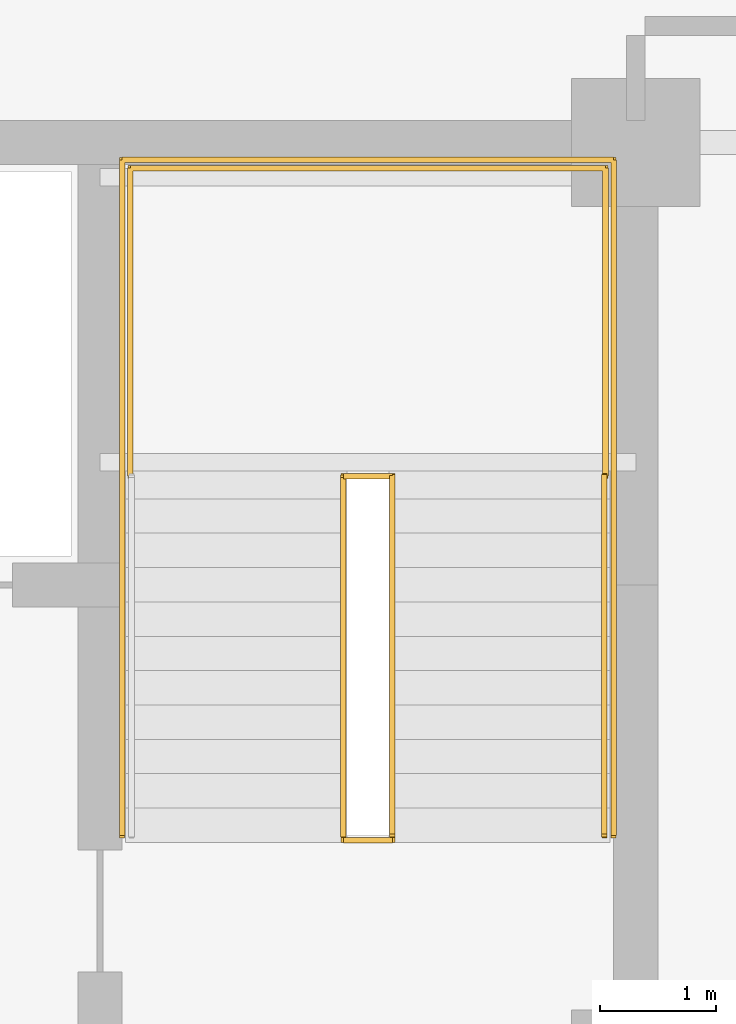
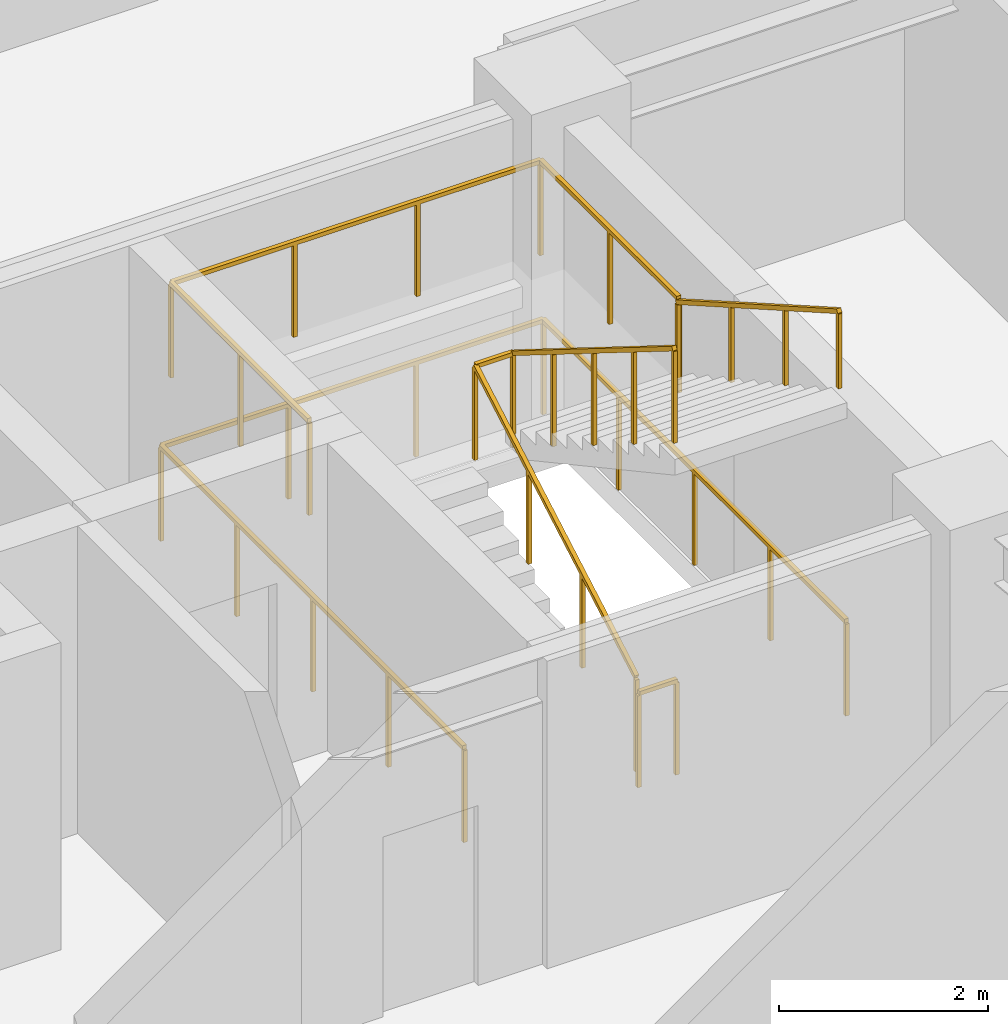
# One storey, part 26 of 26: 5 railings.
"""IFC4 building model written with IfcOpenShell, lengths in metres."""

from ifc_helpers import new_model, si_unit, direction, frame, origin, origin_2d, place, context, subcontext, project, spatial, rectangle, extrude, material, layer, layer_set, type_object, element, save


model = new_model("IFC4")

# Units and contexts
model_context = context("Model", 3, precision=1e-05, world=origin(), true_north=direction((0.0, 1.0)))
body_context = subcontext(model_context, "Body", "Model", "MODEL_VIEW")
ifc_project = project(units=[si_unit("LENGTHUNIT", "METRE"), si_unit("AREAUNIT", "SQUARE_METRE"), si_unit("VOLUMEUNIT", "CUBIC_METRE"), si_unit("PLANEANGLEUNIT", "RADIAN"), si_unit("MASSUNIT", "GRAM", prefix="KILO")], contexts=[model_context])

# Site, building, storey
site_placement = place(None, origin())
site = spatial("IfcSite", under=ifc_project, at=site_placement, CompositionType="ELEMENT")
building_placement = place(site_placement, origin())
building = spatial("IfcBuilding", under=site, at=building_placement, Name="Taldren Reach Tower", CompositionType="ELEMENT")
storey_placement = place(building_placement, frame((0.0, 0.0, 4.550048828125)))
storey = spatial("IfcBuildingStorey", under=building, at=storey_placement, Name="L01", CompositionType="ELEMENT", Elevation=4.550048828125)

# Railings
ifc_material_1 = material(Name="Steel Gr 350 (C350L0)", Category="steel")
ifc_layer_1 = layer(ifc_material_1, 0.050048828125)
ifc_layer_set_1 = layer_set([ifc_layer_1], Name="Steel Gr 350 (C350L0)")
railing_type_1 = type_object("IfcRailingType", Name="RL-STAIR-GR", PredefinedType="GUARDRAIL", material=ifc_layer_set_1)
railing_1_placement = place(storey_placement, frame((46.659912109375, 29.135009765625, 1.925048828125)))
element("IfcRailing", 1, at=railing_1_placement, inside=storey, type_object=railing_type_1, Name="Stair half-landing perimeter guard ST2-L01", PredefinedType="GUARDRAIL", context=body_context, shape_type="SweptSolid", body=[
    extrude(rectangle(XDim=0.047852, YDim=0.047852, at=origin_2d()), frame((0.0, 0.0, 1.09619140625), z_axis=(0.0, 1.0, 0.0), x_axis=(-1.0, 0.0, 0.0)), (0.0, 0.0, 1.0), 2.64501953125),
    extrude(rectangle(XDim=0.047852, YDim=0.047852, at=origin_2d()), frame((0.0, 2.64501953125, 1.09619140625), z_axis=(1.0, 0.0, 0.0), x_axis=(0.0, 1.0, 0.0)), (0.0, 0.0, 1.0), 4.080078125),
    extrude(rectangle(XDim=0.047852, YDim=0.047852, at=origin_2d()), frame((4.080078125, 2.64501953125, 1.09619140625), z_axis=(0.0, -1.0, 0.0), x_axis=(1.0, 0.0, 0.0)), (0.0, 0.0, 1.0), 2.64501953125),
    extrude(rectangle(XDim=0.041992, YDim=0.041992, at=origin_2d()), origin(), (0.0, 0.0, 1.0), 1.072021484375),
    extrude(rectangle(XDim=0.041992, YDim=0.041992, at=origin_2d()), frame((0.0, 1.322509765625, 0.0)), (0.0, 0.0, 1.0), 1.072021484375),
    extrude(rectangle(XDim=0.041992, YDim=0.041992, at=origin_2d()), frame((0.0, 2.64501953125, 0.0)), (0.0, 0.0, 1.0), 1.072021484375),
    extrude(rectangle(XDim=0.041992, YDim=0.041992, at=origin_2d()), frame((1.360107421875, 2.64501953125, 0.0)), (0.0, 0.0, 1.0), 1.072021484375),
    extrude(rectangle(XDim=0.041992, YDim=0.041992, at=origin_2d()), frame((2.719970703125, 2.64501953125, 0.0)), (0.0, 0.0, 1.0), 1.072021484375),
    extrude(rectangle(XDim=0.041992, YDim=0.041992, at=origin_2d()), frame((4.080078125, 2.64501953125, 0.0)), (0.0, 0.0, 1.0), 1.072021484375),
    extrude(rectangle(XDim=0.041992, YDim=0.041992, at=origin_2d()), frame((4.080078125, 1.322509765625, 0.0)), (0.0, 0.0, 1.0), 1.072021484375),
    extrude(rectangle(XDim=0.041992, YDim=0.041992, at=origin_2d()), frame((4.080078125, 0.0, 0.0)), (0.0, 0.0, 1.0), 1.072021484375),
])
railing_2_placement = place(storey_placement, frame((48.489990234375, 26.050048828125, 0.160400390625)))
element("IfcRailing", 2, at=railing_2_placement, inside=storey, type_object=railing_type_1, Name="Stairwell inner guard ST2-L01", PredefinedType="GUARDRAIL", context=body_context, shape_type="SweptSolid", body=[
    extrude(rectangle(XDim=0.047852, YDim=0.047852, at=origin_2d()), frame((0.0, 0.0, 1.09619140625), z_axis=(0.0, 0.868023234622, 0.496523578652), x_axis=(-1.0, 0.0, 0.0)), (0.0, 0.0, 1.0), 3.553955078125),
    extrude(rectangle(XDim=0.047852, YDim=0.047852, at=origin_2d()), frame((0.0, 3.0849609375, 2.86083984375), z_axis=(1.0, 0.0, 0.0), x_axis=(0.0, 1.0, 0.0)), (0.0, 0.0, 1.0), 0.419921875),
    extrude(rectangle(XDim=0.047852, YDim=0.047852, at=origin_2d()), frame((0.419921875, 3.0849609375, 2.86083984375), z_axis=(0.0, -0.848405431508, 0.529346978633), x_axis=(1.0, 0.0, 0.0)), (0.0, 0.0, 1.0), 3.63623046875),
    extrude(rectangle(XDim=0.041992, YDim=0.041992, at=origin_2d()), origin(), (0.0, 0.0, 1.0), 1.072021484375),
    extrude(rectangle(XDim=0.041992, YDim=0.041992, at=origin_2d()), frame((0.0, 1.0283203125, 0.588134765625)), (0.0, 0.0, 1.0), 1.072021484375),
    extrude(rectangle(XDim=0.041992, YDim=0.041992, at=origin_2d()), frame((0.0, 2.056640625, 1.176513671875)), (0.0, 0.0, 1.0), 1.072021484375),
    extrude(rectangle(XDim=0.041992, YDim=0.041992, at=origin_2d()), frame((0.0, 3.0849609375, 1.7646484375)), (0.0, 0.0, 1.0), 1.072021484375),
    extrude(rectangle(XDim=0.041992, YDim=0.041992, at=origin_2d()), frame((0.419921875, 3.0849609375, 1.7646484375)), (0.0, 0.0, 1.0), 1.072021484375),
    extrude(rectangle(XDim=0.041992, YDim=0.041992, at=origin_2d()), frame((0.419921875, 2.313720703125, 2.245849609375)), (0.0, 0.0, 1.0), 1.072021484375),
    extrude(rectangle(XDim=0.041992, YDim=0.041992, at=origin_2d()), frame((0.419921875, 1.54248046875, 2.72705078125)), (0.0, 0.0, 1.0), 1.072021484375),
    extrude(rectangle(XDim=0.041992, YDim=0.041992, at=origin_2d()), frame((0.419921875, 0.771240234375, 3.208251953125)), (0.0, 0.0, 1.0), 1.072021484375),
    extrude(rectangle(XDim=0.041992, YDim=0.041992, at=origin_2d()), frame((0.419921875, 0.0, 3.689453125)), (0.0, 0.0, 1.0), 1.072021484375),
])
railing_3_placement = place(storey_placement, frame((48.489990234375, 26.010009765625, 0.0)))
element("IfcRailing", 3, at=railing_3_placement, inside=storey, type_object=railing_type_1, Name="Stairwell landing slot guard ST2-L01", PredefinedType="GUARDRAIL", context=body_context, shape_type="SweptSolid", body=[
    extrude(rectangle(XDim=0.047852, YDim=0.047852, at=origin_2d()), frame((0.0, 0.0, 1.09619140625), z_axis=(1.0, 0.0, 0.0), x_axis=(0.0, 1.0, 0.0)), (0.0, 0.0, 1.0), 0.419921875),
    extrude(rectangle(XDim=0.041992, YDim=0.041992, at=origin_2d()), origin(), (0.0, 0.0, 1.0), 1.072021484375),
    extrude(rectangle(XDim=0.041992, YDim=0.041992, at=origin_2d()), frame((0.419921875, 0.0, 0.0)), (0.0, 0.0, 1.0), 1.072021484375),
])
railing_4_placement = place(storey_placement, frame((46.590087890625, 26.050048828125, 0.0)))
element("IfcRailing", 4, at=railing_4_placement, inside=storey, type_object=railing_type_1, Name="Stairwell floor opening guard ST2-L01", PredefinedType="GUARDRAIL", context=body_context, shape_type="SweptSolid", body=[
    extrude(rectangle(XDim=0.047852, YDim=0.047852, at=origin_2d()), frame((0.0, 0.0, 1.09619140625), z_axis=(0.0, 1.0, 0.0), x_axis=(-1.0, 0.0, 0.0)), (0.0, 0.0, 1.0), 5.800048828125),
    extrude(rectangle(XDim=0.047852, YDim=0.047852, at=origin_2d()), frame((0.0, 5.800048828125, 1.09619140625), z_axis=(1.0, 0.0, 0.0), x_axis=(0.0, 1.0, 0.0)), (0.0, 0.0, 1.0), 4.219970703125),
    extrude(rectangle(XDim=0.047852, YDim=0.047852, at=origin_2d()), frame((4.219970703125, 5.800048828125, 1.09619140625), z_axis=(0.0, -1.0, 0.0), x_axis=(1.0, 0.0, 0.0)), (0.0, 0.0, 1.0), 5.800048828125),
    extrude(rectangle(XDim=0.041992, YDim=0.041992, at=origin_2d()), origin(), (0.0, 0.0, 1.0), 1.072021484375),
    extrude(rectangle(XDim=0.041992, YDim=0.041992, at=origin_2d()), frame((0.0, 1.449951171875, 0.0)), (0.0, 0.0, 1.0), 1.072021484375),
    extrude(rectangle(XDim=0.041992, YDim=0.041992, at=origin_2d()), frame((0.0, 2.89990234375, 0.0)), (0.0, 0.0, 1.0), 1.072021484375),
    extrude(rectangle(XDim=0.041992, YDim=0.041992, at=origin_2d()), frame((0.0, 4.35009765625, 0.0)), (0.0, 0.0, 1.0), 1.072021484375),
    extrude(rectangle(XDim=0.041992, YDim=0.041992, at=origin_2d()), frame((0.0, 5.800048828125, 0.0)), (0.0, 0.0, 1.0), 1.072021484375),
    extrude(rectangle(XDim=0.041992, YDim=0.041992, at=origin_2d()), frame((1.40673828125, 5.800048828125, 0.0)), (0.0, 0.0, 1.0), 1.072021484375),
    extrude(rectangle(XDim=0.041992, YDim=0.041992, at=origin_2d()), frame((2.813232421875, 5.800048828125, 0.0)), (0.0, 0.0, 1.0), 1.072021484375),
    extrude(rectangle(XDim=0.041992, YDim=0.041992, at=origin_2d()), frame((4.219970703125, 5.800048828125, 0.0)), (0.0, 0.0, 1.0), 1.072021484375),
    extrude(rectangle(XDim=0.041992, YDim=0.041992, at=origin_2d()), frame((4.219970703125, 4.35009765625, 0.0)), (0.0, 0.0, 1.0), 1.072021484375),
    extrude(rectangle(XDim=0.041992, YDim=0.041992, at=origin_2d()), frame((4.219970703125, 2.89990234375, 0.0)), (0.0, 0.0, 1.0), 1.072021484375),
    extrude(rectangle(XDim=0.041992, YDim=0.041992, at=origin_2d()), frame((4.219970703125, 1.449951171875, 0.0)), (0.0, 0.0, 1.0), 1.072021484375),
    extrude(rectangle(XDim=0.041992, YDim=0.041992, at=origin_2d()), frame((4.219970703125, 0.0, 0.0)), (0.0, 0.0, 1.0), 1.072021484375),
])
ifc_material_2 = material(Name="Stainless Steel Gr 316", Category="steel")
ifc_layer_2 = layer(ifc_material_2, 0.048095703125)
ifc_layer_set_2 = layer_set([ifc_layer_2], Name="Stainless Steel Gr 316")
railing_type_2 = type_object("IfcRailingType", Name="RL-STAIR-HR", PredefinedType="HANDRAIL", material=ifc_layer_set_2)
railing_5_placement = place(storey_placement, frame((50.72998046875, 29.135009765625, 2.08544921875)))
element("IfcRailing", 5, at=railing_5_placement, inside=storey, type_object=railing_type_2, Name="Stair flight handrail ST2-L01-2", PredefinedType="HANDRAIL", context=body_context, shape_type="SweptSolid", body=[
    extrude(rectangle(XDim=0.047852, YDim=0.047852, at=origin_2d()), frame((0.0, 0.0, 0.89599609375), z_axis=(0.0, -0.86805284099, 0.496471817176), x_axis=(1.0, 0.0, 0.0)), (0.0, 0.0, 1.0), 3.553955078125),
    extrude(rectangle(XDim=0.041992, YDim=0.041992, at=origin_2d()), origin(), (0.0, 0.0, 1.0), 0.871826171875),
    extrude(rectangle(XDim=0.041992, YDim=0.041992, at=origin_2d()), frame((0.0, -1.0283203125, 0.588134765625)), (0.0, 0.0, 1.0), 0.871826171875),
    extrude(rectangle(XDim=0.041992, YDim=0.041992, at=origin_2d()), frame((0.0, -2.056640625, 1.17626953125)), (0.0, 0.0, 1.0), 0.871826171875),
    extrude(rectangle(XDim=0.041992, YDim=0.041992, at=origin_2d()), frame((0.0, -3.0849609375, 1.764404296875)), (0.0, 0.0, 1.0), 0.871826171875),
])

save(model, "model.ifc")
